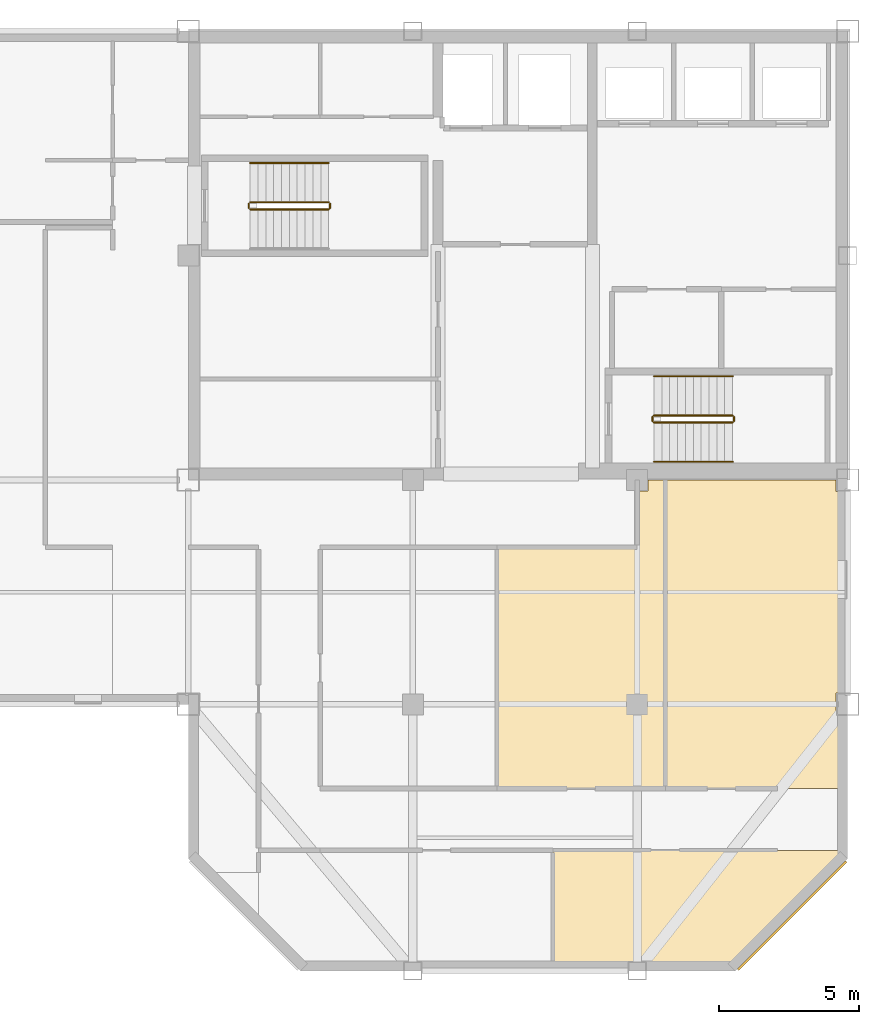
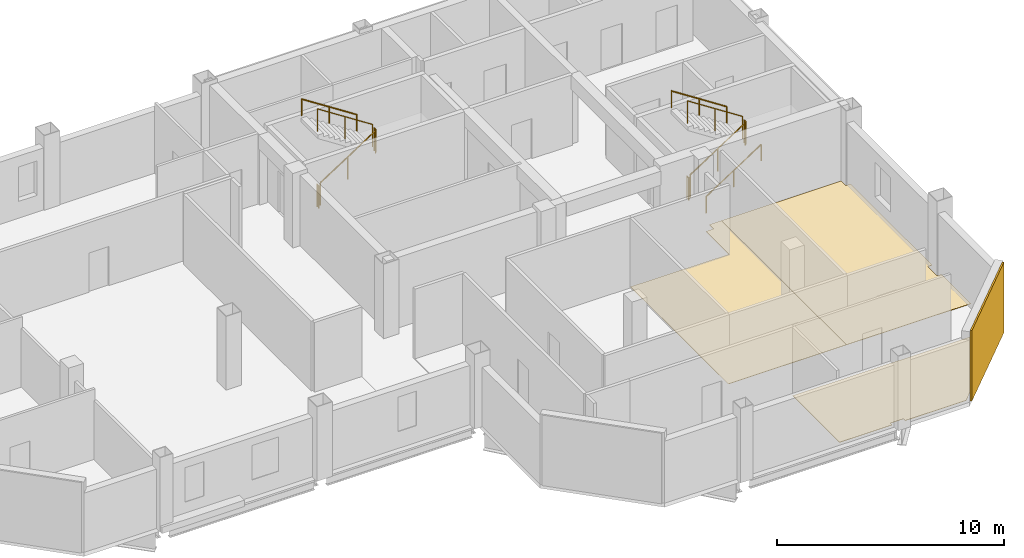
# One storey, part 6 of 7: 11 railings, 4 coverings.
"""IFC4 building model written with IfcOpenShell, lengths in metres."""

from ifc_helpers import new_model, si_unit, direction, frame, origin, origin_2d, place, context, subcontext, project, spatial, polyline, rectangle, circle, outline, extrude, material, layer, layer_set, type_object, element, save


model = new_model("IFC4")

# Units and contexts
model_context = context("Model", 3, precision=1e-05, world=origin(), true_north=direction((0.0, 1.0)))
body_context = subcontext(model_context, "Body", "Model", "MODEL_VIEW")
ifc_project = project(units=[si_unit("LENGTHUNIT", "METRE"), si_unit("AREAUNIT", "SQUARE_METRE"), si_unit("VOLUMEUNIT", "CUBIC_METRE"), si_unit("PLANEANGLEUNIT", "RADIAN"), si_unit("MASSUNIT", "GRAM", prefix="KILO")], contexts=[model_context])

# Site, building, storey
site_placement = place(None, origin())
site = spatial("IfcSite", under=ifc_project, at=site_placement, CompositionType="ELEMENT")
building_placement = place(site_placement, origin())
building = spatial("IfcBuilding", under=site, at=building_placement, Name="Qianrong Seaharbour Tower", CompositionType="ELEMENT")
storey_placement = place(building_placement, frame((0.0, 0.0, 331.199951171875)))
storey = spatial("IfcBuildingStorey", under=building, at=storey_placement, Name="L80", CompositionType="ELEMENT", Elevation=331.199951171875)

# Coverings
ifc_material_1 = material(Name="Unitised red brick cladding on Precast concrete C45/55", Category="masonry")
ifc_layer_1 = layer(ifc_material_1, 0.080078125)
ifc_layer_set_1 = layer_set([ifc_layer_1], Name="Unitised red brick cladding on Precast concrete C45/55")
covering_type_1 = type_object("IfcCoveringType", Name="COV-CLAD-RED-BRICK-80", PredefinedType="CLADDING", material=ifc_layer_set_1)
covering_1_placement = place(storey_placement, frame((62.0283203125, 20.4716796875, 0.0), z_axis=(0.0, 0.0, 1.0), x_axis=(-0.707106781187, -0.707106781187, 0.0)))
element("IfcCovering", 1, at=covering_1_placement, inside=storey, type_object=covering_type_1, Name="L80 Chamfer Corner Brick Cladding 07", PredefinedType="CLADDING", context=body_context, shape_type="SweptSolid", body=[
    extrude(rectangle(XDim=5.456787109375, YDim=0.080078125, at=origin_2d()), origin(), (0.0, 0.0, 1.0), 3.784912109375),
])
ifc_material_2 = material(Name="Acoustic modular carpet tile flooring")
ifc_layer_2 = layer(ifc_material_2, 0.02001953125)
ifc_layer_set_2 = layer_set([ifc_layer_2], Name="Acoustic modular carpet tile flooring")
covering_type_2 = type_object("IfcCoveringType", Name="COV-FLOOR-CARPET-20", PredefinedType="FLOORING", material=ifc_layer_set_2)
covering_2_placement = place(storey_placement, origin())
element("IfcCovering", 2, at=covering_2_placement, inside=storey, type_object=covering_type_2, Name="L80 Catering Servery Kitchen 2 Finish Flooring", PredefinedType="FLOORING", context=body_context, shape_type="SweptSolid", body=[
    extrude(outline(polyline([(56.5, 33.60009765625), (56.5, 35.614990234375), (56.885009765625, 35.614990234375), (56.885009765625, 36.0), (57.5, 36.0), (57.5, 25.0), (51.5, 25.0), (51.5, 33.60009765625), (56.5, 33.60009765625)])), origin(), (0.0, 0.0, 1.0), 0.02001953125),
])
covering_3_placement = place(storey_placement, origin())
element("IfcCovering", 3, at=covering_3_placement, inside=storey, type_object=covering_type_2, Name="L80 Staff Lounge 3 Finish Flooring", PredefinedType="FLOORING", context=body_context, shape_type="SweptSolid", body=[
    extrude(outline(polyline([(63.590087890625, 36.0), (63.590087890625, 35.590087890625), (63.824951171875, 35.590087890625), (63.824951171875, 28.409912109375), (63.590087890625, 28.409912109375), (63.590087890625, 27.590087890625), (63.824951171875, 27.590087890625), (63.824951171875, 25.0), (57.5, 25.0), (57.5, 36.0), (63.590087890625, 36.0)])), origin(), (0.0, 0.0, 1.0), 0.02001953125),
])
covering_4_placement = place(storey_placement, origin())
element("IfcCovering", 4, at=covering_4_placement, inside=storey, type_object=covering_type_2, Name="L80 Tea Servery Pantry 2 Finish Flooring", PredefinedType="FLOORING", context=body_context, shape_type="SweptSolid", body=[
    extrude(outline(polyline([(63.824951171875, 22.572509765625), (59.927490234375, 18.675048828125), (56.8349609375, 18.675048828125), (56.8349609375, 18.8349609375), (56.1650390625, 18.8349609375), (56.1650390625, 18.675048828125), (53.5, 18.675048828125), (53.5, 22.800048828125), (63.824951171875, 22.800048828125), (63.824951171875, 22.572509765625)])), origin(), (0.0, 0.0, 1.0), 0.02001953125),
])

# Railings
ifc_material_3 = material(Name="Galvanized painted steel SN400B stair guard", Category="steel")
railing_type_1 = type_object("IfcRailingType", Name="RAIL-STAIR-GUARD-1220", PredefinedType="GUARDRAIL", material=ifc_material_3)
railing_1_placement = place(storey_placement, frame((42.699951171875, 45.64990234375, 0.181884765625)))
element("IfcRailing", 5, at=railing_1_placement, inside=storey, type_object=railing_type_1, Name="L80 ST-1 stair guard 1", PredefinedType="GUARDRAIL", context=body_context, shape_type="SweptSolid", body=[
    extrude(circle(Radius=0.02392578125, at=origin_2d()), frame((0.0, 0.0, 1.19580078125), z_axis=(0.838705829183, 0.0, 0.544584733623), x_axis=(0.0, 1.0, 0.0)), (0.0, 0.0, 1.0), 3.338623046875),
    extrude(circle(Radius=0.02099609375, at=origin_2d()), origin(), (0.0, 0.0, 1.0), 1.171875),
    extrude(circle(Radius=0.02099609375, at=origin_2d()), frame((1.39990234375, 0.0, 0.9091796875)), (0.0, 0.0, 1.0), 1.171875),
    extrude(circle(Radius=0.02099609375, at=origin_2d()), frame((2.800048828125, 0.0, 1.818115234375)), (0.0, 0.0, 1.0), 1.171875),
])
railing_2_placement = place(storey_placement, frame((45.550048828125, 45.699951171875, 2.0)))
element("IfcRailing", 6, at=railing_2_placement, inside=storey, type_object=railing_type_1, Name="L80 ST-1 stair guard 2", PredefinedType="GUARDRAIL", context=body_context, shape_type="SweptSolid", body=[
    extrude(circle(Radius=0.02392578125, at=origin_2d()), frame((0.0, 0.0, 1.19580078125), z_axis=(0.0, 1.0, 0.0), x_axis=(-1.0, 0.0, 0.0)), (0.0, 0.0, 1.0), 0.150146484375),
    extrude(circle(Radius=0.02099609375, at=origin_2d()), origin(), (0.0, 0.0, 1.0), 1.171875),
    extrude(circle(Radius=0.02099609375, at=origin_2d()), frame((0.0, 0.150146484375, 0.0)), (0.0, 0.0, 1.0), 1.171875),
])
railing_3_placement = place(storey_placement, frame((45.5, 45.89990234375, 2.181884765625)))
element("IfcRailing", 7, at=railing_3_placement, inside=storey, type_object=railing_type_1, Name="L80 ST-1 stair guard 3", PredefinedType="GUARDRAIL", context=body_context, shape_type="SweptSolid", body=[
    extrude(circle(Radius=0.02392578125, at=origin_2d()), frame((0.0, 0.0, 1.19580078125), z_axis=(-0.838705829183, 0.0, 0.544584733623), x_axis=(0.0, -1.0, 0.0)), (0.0, 0.0, 1.0), 3.338623046875),
    extrude(circle(Radius=0.02099609375, at=origin_2d()), origin(), (0.0, 0.0, 1.0), 1.171875),
    extrude(circle(Radius=0.02099609375, at=origin_2d()), frame((-1.39990234375, 0.0, 0.9091796875)), (0.0, 0.0, 1.0), 1.171875),
    extrude(circle(Radius=0.02099609375, at=origin_2d()), frame((-2.800048828125, 0.0, 1.818115234375)), (0.0, 0.0, 1.0), 1.171875),
])
railing_4_placement = place(storey_placement, frame((42.64990234375, 45.699951171875, 0.0)))
element("IfcRailing", 8, at=railing_4_placement, inside=storey, type_object=railing_type_1, Name="L80 ST-1 stair guard 4", PredefinedType="GUARDRAIL", context=body_context, shape_type="SweptSolid", body=[
    extrude(circle(Radius=0.02392578125, at=origin_2d()), frame((0.0, 0.0, 1.19580078125), z_axis=(0.0, 1.0, 0.0), x_axis=(-1.0, 0.0, 0.0)), (0.0, 0.0, 1.0), 0.150146484375),
    extrude(circle(Radius=0.02099609375, at=origin_2d()), origin(), (0.0, 0.0, 1.0), 1.171875),
    extrude(circle(Radius=0.02099609375, at=origin_2d()), frame((0.0, 0.150146484375, 0.0)), (0.0, 0.0, 1.0), 1.171875),
])
railing_5_placement = place(storey_placement, frame((57.10009765625, 38.050048828125, 0.181884765625)))
element("IfcRailing", 9, at=railing_5_placement, inside=storey, type_object=railing_type_1, Name="L80 ST-2 stair guard 1", PredefinedType="GUARDRAIL", context=body_context, shape_type="SweptSolid", body=[
    extrude(circle(Radius=0.02392578125, at=origin_2d()), frame((0.0, 0.0, 1.19580078125), z_axis=(0.83868413941, 0.0, 0.544618136222), x_axis=(0.0, 1.0, 0.0)), (0.0, 0.0, 1.0), 3.33837890625),
    extrude(circle(Radius=0.02099609375, at=origin_2d()), origin(), (0.0, 0.0, 1.0), 1.171875),
    extrude(circle(Radius=0.02099609375, at=origin_2d()), frame((1.39990234375, 0.0, 0.9091796875)), (0.0, 0.0, 1.0), 1.171875),
    extrude(circle(Radius=0.02099609375, at=origin_2d()), frame((2.7998046875, 0.0, 1.818115234375)), (0.0, 0.0, 1.0), 1.171875),
])
railing_6_placement = place(storey_placement, frame((59.949951171875, 38.10009765625, 2.0)))
element("IfcRailing", 10, at=railing_6_placement, inside=storey, type_object=railing_type_1, Name="L80 ST-2 stair guard 2", PredefinedType="GUARDRAIL", context=body_context, shape_type="SweptSolid", body=[
    extrude(circle(Radius=0.02392578125, at=origin_2d()), frame((0.0, 0.0, 1.19580078125), z_axis=(0.0, 1.0, 0.0), x_axis=(-1.0, 0.0, 0.0)), (0.0, 0.0, 1.0), 0.14990234375),
    extrude(circle(Radius=0.02099609375, at=origin_2d()), origin(), (0.0, 0.0, 1.0), 1.171875),
    extrude(circle(Radius=0.02099609375, at=origin_2d()), frame((0.0, 0.14990234375, 0.0)), (0.0, 0.0, 1.0), 1.171875),
])
railing_7_placement = place(storey_placement, frame((59.89990234375, 38.300048828125, 2.181884765625)))
element("IfcRailing", 11, at=railing_7_placement, inside=storey, type_object=railing_type_1, Name="L80 ST-2 stair guard 3", PredefinedType="GUARDRAIL", context=body_context, shape_type="SweptSolid", body=[
    extrude(circle(Radius=0.02392578125, at=origin_2d()), frame((0.0, 0.0, 1.19580078125), z_axis=(-0.83868413941, 0.0, 0.544618136222), x_axis=(0.0, -1.0, 0.0)), (0.0, 0.0, 1.0), 3.33837890625),
    extrude(circle(Radius=0.02099609375, at=origin_2d()), origin(), (0.0, 0.0, 1.0), 1.171875),
    extrude(circle(Radius=0.02099609375, at=origin_2d()), frame((-1.39990234375, 0.0, 0.9091796875)), (0.0, 0.0, 1.0), 1.171875),
    extrude(circle(Radius=0.02099609375, at=origin_2d()), frame((-2.7998046875, 0.0, 1.818115234375)), (0.0, 0.0, 1.0), 1.171875),
])
railing_8_placement = place(storey_placement, frame((57.050048828125, 38.10009765625, 0.0)))
element("IfcRailing", 12, at=railing_8_placement, inside=storey, type_object=railing_type_1, Name="L80 ST-2 stair guard 4", PredefinedType="GUARDRAIL", context=body_context, shape_type="SweptSolid", body=[
    extrude(circle(Radius=0.02392578125, at=origin_2d()), frame((0.0, 0.0, 1.19580078125), z_axis=(0.0, 1.0, 0.0), x_axis=(-1.0, 0.0, 0.0)), (0.0, 0.0, 1.0), 0.14990234375),
    extrude(circle(Radius=0.02099609375, at=origin_2d()), origin(), (0.0, 0.0, 1.0), 1.171875),
    extrude(circle(Radius=0.02099609375, at=origin_2d()), frame((0.0, 0.14990234375, 0.0)), (0.0, 0.0, 1.0), 1.171875),
])
ifc_material_4 = material(Name="Stainless steel SUS316L continuous handrail", Category="steel")
railing_type_2 = type_object("IfcRailingType", Name="RAIL-STAIR-HANDRAIL-900", PredefinedType="HANDRAIL", material=ifc_material_4)
railing_9_placement = place(storey_placement, frame((45.5, 47.300048828125, 2.181884765625)))
element("IfcRailing", 13, at=railing_9_placement, inside=storey, type_object=railing_type_2, Name="L80 ST-1 stair handrail 2", PredefinedType="HANDRAIL", context=body_context, shape_type="SweptSolid", body=[
    extrude(circle(Radius=0.02392578125, at=origin_2d()), frame((0.0, 0.0, 0.8759765625), z_axis=(-0.838705829183, 0.0, 0.544584733623), x_axis=(0.0, -1.0, 0.0)), (0.0, 0.0, 1.0), 3.338623046875),
    extrude(circle(Radius=0.02099609375, at=origin_2d()), origin(), (0.0, 0.0, 1.0), 0.851806640625),
    extrude(circle(Radius=0.02099609375, at=origin_2d()), frame((-1.39990234375, 0.0, 0.9091796875)), (0.0, 0.0, 1.0), 0.851806640625),
    extrude(circle(Radius=0.02099609375, at=origin_2d()), frame((-2.800048828125, 0.0, 1.818115234375)), (0.0, 0.0, 1.0), 0.851806640625),
])
railing_10_placement = place(storey_placement, frame((57.10009765625, 36.64990234375, 0.181884765625)))
element("IfcRailing", 14, at=railing_10_placement, inside=storey, type_object=railing_type_2, Name="L80 ST-2 stair handrail 1", PredefinedType="HANDRAIL", context=body_context, shape_type="SweptSolid", body=[
    extrude(circle(Radius=0.02392578125, at=origin_2d()), frame((0.0, 0.0, 0.8759765625), z_axis=(0.83868413941, 0.0, 0.544618136222), x_axis=(0.0, 1.0, 0.0)), (0.0, 0.0, 1.0), 3.33837890625),
    extrude(circle(Radius=0.02099609375, at=origin_2d()), origin(), (0.0, 0.0, 1.0), 0.851806640625),
    extrude(circle(Radius=0.02099609375, at=origin_2d()), frame((1.39990234375, 0.0, 0.9091796875)), (0.0, 0.0, 1.0), 0.851806640625),
    extrude(circle(Radius=0.02099609375, at=origin_2d()), frame((2.7998046875, 0.0, 1.818115234375)), (0.0, 0.0, 1.0), 0.851806640625),
])
railing_11_placement = place(storey_placement, frame((59.89990234375, 39.699951171875, 2.181884765625)))
element("IfcRailing", 15, at=railing_11_placement, inside=storey, type_object=railing_type_2, Name="L80 ST-2 stair handrail 2", PredefinedType="HANDRAIL", context=body_context, shape_type="SweptSolid", body=[
    extrude(circle(Radius=0.02392578125, at=origin_2d()), frame((0.0, 0.0, 0.8759765625), z_axis=(-0.83868413941, 0.0, 0.544618136222), x_axis=(0.0, -1.0, 0.0)), (0.0, 0.0, 1.0), 3.33837890625),
    extrude(circle(Radius=0.02099609375, at=origin_2d()), origin(), (0.0, 0.0, 1.0), 0.851806640625),
    extrude(circle(Radius=0.02099609375, at=origin_2d()), frame((-1.39990234375, 0.0, 0.9091796875)), (0.0, 0.0, 1.0), 0.851806640625),
    extrude(circle(Radius=0.02099609375, at=origin_2d()), frame((-2.7998046875, 0.0, 1.818115234375)), (0.0, 0.0, 1.0), 0.851806640625),
])

save(model, "model.ifc")
